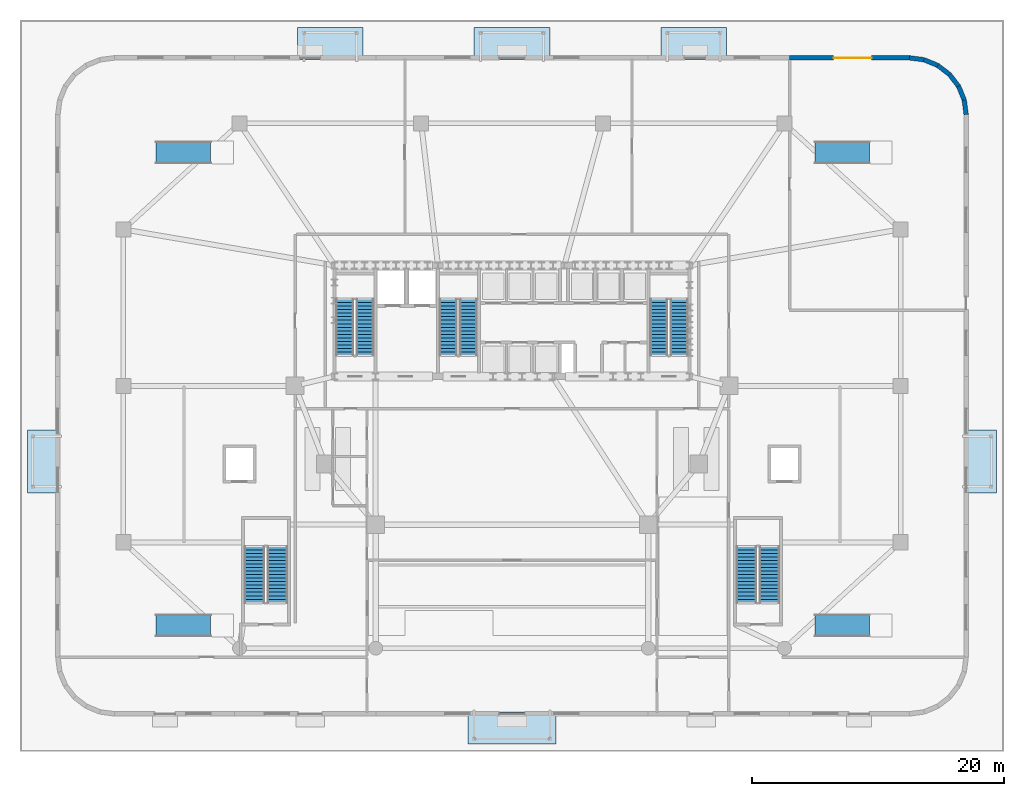
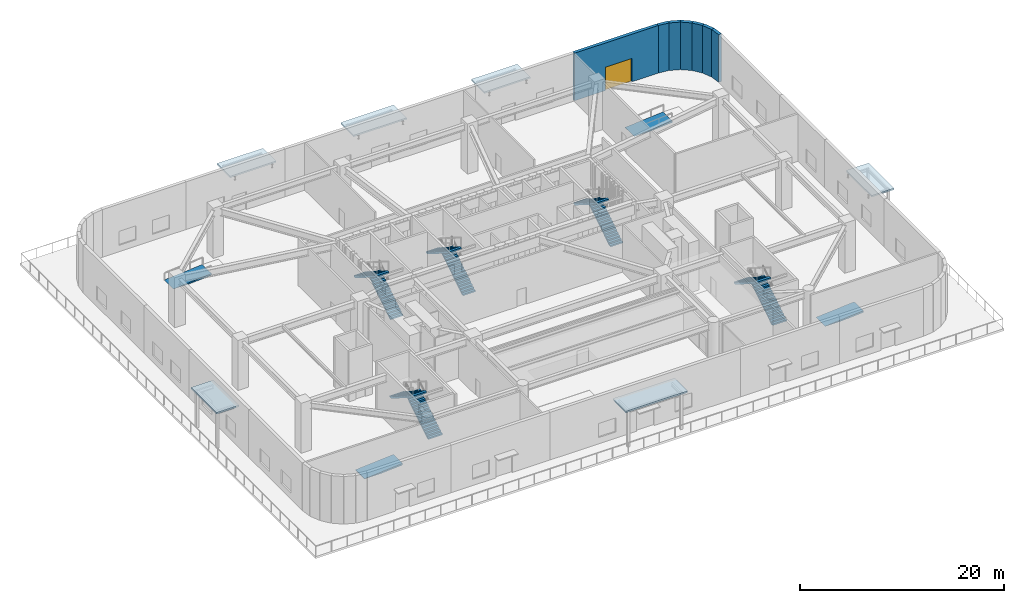
# One storey, part 12 of 21: 10 stair flights, 7 walls, 6 roofs, 4 ramp flights, 1 door, 1 opening, 9 elements without a shape of their own.
"""IFC4 building model written with IfcOpenShell, lengths in metres."""

from ifc_helpers import new_model, si_unit, direction, frame, frame_2d, origin, place, context, subcontext, project, spatial, polyline, rectangle, outline, extrude, material, layer, layer_set, type_object, element, fill, aggregate, save


model = new_model("IFC4")

# Units and contexts
model_context = context("Model", 3, precision=1e-05, world=origin(), true_north=direction((0.0, 1.0)))
body_context = subcontext(model_context, "Body", "Model", "MODEL_VIEW")
ifc_project = project(units=[si_unit("LENGTHUNIT", "METRE"), si_unit("AREAUNIT", "SQUARE_METRE"), si_unit("VOLUMEUNIT", "CUBIC_METRE"), si_unit("PLANEANGLEUNIT", "RADIAN"), si_unit("MASSUNIT", "GRAM", prefix="KILO")], contexts=[model_context])

# Site, building, storey
site_placement = place(None, origin())
site = spatial("IfcSite", under=ifc_project, at=site_placement, CompositionType="ELEMENT")
building_placement = place(site_placement, origin())
building = spatial("IfcBuilding", under=site, at=building_placement, Name="Haldorwick Loom Tower", CompositionType="ELEMENT")
storey_placement = place(building_placement, origin())
storey = spatial("IfcBuildingStorey", under=building, at=storey_placement, Name="L00", CompositionType="ELEMENT", Elevation=0.0)

# Walls
ifc_material_1 = material(Name="Pressed Clay Face Brick and Insulated Masonry Backup Assembly", Category="masonry")
ifc_layer_1 = layer(ifc_material_1, 0.360107421875, Name="Pressed Clay Face Brick and Insulated Masonry Backup Assembly", Category="masonry")
ifc_layer_set_1 = layer_set([ifc_layer_1], Name="Pressed Clay Face Brick and Insulated Masonry Backup Assembly")
wall_type = type_object("IfcWallType", Name="ARC-WL-EXT360", PredefinedType="STANDARD", material=ifc_layer_set_1)
wall_1_placement = place(storey_placement, frame((72.0, 47.5, 0.0), z_axis=(0.0, 0.0, 1.0), x_axis=(-0.130502892298, 0.991447928588, 0.0)))
element("IfcWall", 1, at=wall_1_placement, inside=storey, type_object=wall_type, Name="L00 Brick Pier and Spandrel Wall 11", PredefinedType="STANDARD", context=body_context, shape_type="SweptSolid", body=[
    extrude(rectangle(XDim=1.1748046875, YDim=0.360107421875, at=frame_2d((0.58740234375, 0.0))), origin(), (0.0, 0.0, 1.0), 5.699951171875),
])
wall_2_placement = place(storey_placement, frame((71.8466796875, 48.664794921875, 0.0), z_axis=(0.0, 0.0, 1.0), x_axis=(-0.382651625058, 0.923892706888, 0.0)))
element("IfcWall", 2, at=wall_2_placement, inside=storey, type_object=wall_type, Name="L00 Brick Pier and Spandrel Wall 12", PredefinedType="STANDARD", context=body_context, shape_type="SweptSolid", body=[
    extrude(rectangle(XDim=1.174560546875, YDim=0.360107421875, at=frame_2d((0.58740234375, 0.0))), origin(), (0.0, 0.0, 1.0), 5.699951171875),
])
for number, where, z_axis, x_axis, name in (
    (3, (71.397216796875, 49.75, 0.0), (0.0, 0.0, 1.0), (-0.60890698735, 0.79324162823, 0.0), "L00 Brick Pier and Spandrel Wall 13"),
    (4, (70.681884765625, 50.681884765625, 0.0), (0.0, 0.0, 1.0), (-0.79324162823, 0.60890698735, 0.0), "L00 Brick Pier and Spandrel Wall 14"),
):
    element("IfcWall", number, at=place(storey_placement, frame(where, z_axis=z_axis, x_axis=x_axis)), inside=storey, type_object=wall_type, Name=name, PredefinedType="STANDARD", context=body_context, shape_type="SweptSolid", body=[
        extrude(rectangle(XDim=1.1748046875, YDim=0.360107421875, at=frame_2d((0.58740234375, 0.0))), origin(), (0.0, 0.0, 1.0), 5.699951171875),
    ])
wall_3_placement = place(storey_placement, frame((69.75, 51.397216796875, 0.0), z_axis=(0.0, 0.0, 1.0), x_axis=(-0.923892706888, 0.382651625058, 0.0)))
element("IfcWall", 5, at=wall_3_placement, inside=storey, type_object=wall_type, Name="L00 Brick Pier and Spandrel Wall 15", PredefinedType="STANDARD", context=body_context, shape_type="SweptSolid", body=[
    extrude(rectangle(XDim=1.174560546875, YDim=0.360107421875, at=frame_2d((0.58740234375, 0.0))), origin(), (0.0, 0.0, 1.0), 5.699951171875),
])
wall_4_placement = place(storey_placement, frame((68.664794921875, 51.8466796875, 0.0), z_axis=(0.0, 0.0, 1.0), x_axis=(-0.991447928588, 0.130502892298, 0.0)))
element("IfcWall", 6, at=wall_4_placement, inside=storey, type_object=wall_type, Name="L00 Brick Pier and Spandrel Wall 16", PredefinedType="STANDARD", context=body_context, shape_type="SweptSolid", body=[
    extrude(rectangle(XDim=1.1748046875, YDim=0.360107421875, at=frame_2d((0.58740234375, 0.0))), origin(), (0.0, 0.0, 1.0), 5.699951171875),
])

# Wall, opening, door
wall_5_placement = place(storey_placement, frame((67.5, 52.0, 0.0), z_axis=(0.0, 0.0, 1.0), x_axis=(-1.0, 0.0, 0.0)))
wall_5 = element("IfcWall", 7, at=wall_5_placement, inside=storey, type_object=wall_type, Name="L00 Brick Pier and Spandrel Wall 17", PredefinedType="STANDARD", context=body_context, shape_type="SweptSolid", body=[
    extrude(rectangle(XDim=9.5, YDim=0.360107421875, at=frame_2d((4.75, 0.0))), origin(), (0.0, 0.0, 1.0), 5.699951171875),
])
opening_placement = place(wall_5_placement, frame((3.0, 0.0, 0.0)))
opening = element("IfcOpeningElement", 8, at=opening_placement, cuts=wall_5, Name="Opening D-SV30", PredefinedType="OPENING", context=body_context, shape_type="SweptSolid", body=[
    extrude(rectangle(XDim=3.0, YDim=2.800048828125, at=frame_2d((1.5, 1.39990234375))), frame((0.0, 0.18994140625, 0.0), z_axis=(0.0, -1.0, 0.0), x_axis=(1.0, 0.0, 0.0)), (0.0, 0.0, 1.0), 0.380126953125),
])
ifc_material_2 = material(Name="Galvanized Steel CSA G40.21 350W", Category="steel")
door_type = type_object("IfcDoorType", Name="ARC-DR-LOAD300", OperationType="ROLLINGUP", PredefinedType="GATE", material=ifc_material_2)
door_placement = place(opening_placement, frame((3.0, 0.0, 0.0), z_axis=(0.0, 0.0, 1.0), x_axis=(-1.0, 0.0, 0.0)))
door = element("IfcDoor", 9, at=door_placement, inside=storey, type_object=door_type, Name="L00 Grade Exit Door SV-01", OperationType="SINGLE_SWING_LEFT", OverallHeight=2.800048828125, OverallWidth=3.0, PredefinedType="GATE", context=body_context, shape_type="SweptSolid", body=[
    extrude(rectangle(XDim=3.0, YDim=2.800048828125, at=frame_2d((1.5, 1.39990234375))), frame((0.0, 0.02490234375, 0.0), z_axis=(0.0, -1.0, 0.0), x_axis=(1.0, 0.0, 0.0)), (0.0, 0.0, 1.0), 0.050048828125),
])
fill(opening, door)

# Stair, stair flights
ifc_material_3 = material(Name="Concrete C40 (40 MPa)", Category="concrete")
stair_type_1 = type_object("IfcStairType", Name="STR-STR-CORE", PredefinedType="HALF_TURN_STAIR", material=ifc_material_3)
stair_1_placement = place(storey_placement, origin())
stair_1 = element("IfcStair", 10, at=stair_1_placement, inside=storey, type_object=stair_type_1, Name="L00 Exit Stair ST-01", PredefinedType="HALF_TURN_STAIR")
stair_flight_type_1 = type_object("IfcStairFlightType", Name="STR-STF-1250", PredefinedType="STRAIGHT", material=ifc_material_3)
stair_flight_1_placement = place(storey_placement, frame((24.35009765625, 28.39990234375, 0.0), z_axis=(0.0, 0.0, 1.0), x_axis=(0.0, 1.0, 0.0)))
stair_flight_1 = element("IfcStairFlight", 11, at=stair_flight_1_placement, type_object=stair_flight_type_1, Name="ST-01 flight 1", NumberOfRisers=17, NumberOfTreads=16, PredefinedType="STRAIGHT", RiserHeight=0.176470588, TreadLength=0.28, context=body_context, shape_type="SweptSolid", body=[
    extrude(outline(polyline([(0.0, 0.0), (0.0, 0.176513671875), (0.280029296875, 0.176513671875), (0.280029296875, 0.35302734375), (0.56005859375, 0.35302734375), (0.56005859375, 0.529296875), (0.840087890625, 0.529296875), (0.840087890625, 0.705810546875), (1.1201171875, 0.705810546875), (1.1201171875, 0.88232421875), (1.39990234375, 0.88232421875), (1.39990234375, 1.058837890625), (1.679931640625, 1.058837890625), (1.679931640625, 1.2353515625), (1.9599609375, 1.2353515625), (1.9599609375, 1.411865234375), (2.239990234375, 1.411865234375), (2.239990234375, 1.588134765625), (2.52001953125, 1.588134765625), (2.52001953125, 1.7646484375), (2.800048828125, 1.7646484375), (2.800048828125, 1.941162109375), (3.080078125, 1.941162109375), (3.080078125, 2.11767578125), (3.360107421875, 2.11767578125), (3.360107421875, 2.294189453125), (3.639892578125, 2.294189453125), (3.639892578125, 2.470703125), (3.919921875, 2.470703125), (3.919921875, 2.64697265625), (4.199951171875, 2.64697265625), (4.199951171875, 2.823486328125), (4.47998046875, 2.823486328125), (4.47998046875, 3.0), (4.47998046875, 2.646240234375), (0.28125, 0.0), (0.0, 0.0)])), frame((0.0, 0.699951171875, 0.0), z_axis=(0.0, -1.0, 0.0), x_axis=(1.0, 0.0, 0.0)), (0.0, 0.0, 1.0), 1.39990234375),
])
stair_flight_2_placement = place(storey_placement, frame((22.75, 32.8798828125, 3.0), z_axis=(0.0, 0.0, 1.0), x_axis=(0.0, -1.0, 0.0)))
stair_flight_2 = element("IfcStairFlight", 12, at=stair_flight_2_placement, type_object=stair_flight_type_1, Name="ST-01 flight 2", NumberOfRisers=17, NumberOfTreads=16, PredefinedType="STRAIGHT", RiserHeight=0.176470588, TreadLength=0.28, context=body_context, shape_type="SweptSolid", body=[
    extrude(outline(polyline([(0.0, 0.0), (0.0, 0.176513671875), (0.280029296875, 0.176513671875), (0.280029296875, 0.35302734375), (0.56005859375, 0.35302734375), (0.56005859375, 0.529296875), (0.840087890625, 0.529296875), (0.840087890625, 0.705810546875), (1.1201171875, 0.705810546875), (1.1201171875, 0.88232421875), (1.39990234375, 0.88232421875), (1.39990234375, 1.058837890625), (1.679931640625, 1.058837890625), (1.679931640625, 1.2353515625), (1.9599609375, 1.2353515625), (1.9599609375, 1.411865234375), (2.239990234375, 1.411865234375), (2.239990234375, 1.588134765625), (2.52001953125, 1.588134765625), (2.52001953125, 1.7646484375), (2.800048828125, 1.7646484375), (2.800048828125, 1.941162109375), (3.080078125, 1.941162109375), (3.080078125, 2.11767578125), (3.360107421875, 2.11767578125), (3.360107421875, 2.294189453125), (3.639892578125, 2.294189453125), (3.639892578125, 2.470703125), (3.919921875, 2.470703125), (3.919921875, 2.64697265625), (4.199951171875, 2.64697265625), (4.199951171875, 2.823486328125), (4.47998046875, 2.823486328125), (4.47998046875, 3.0), (4.47998046875, 2.646240234375), (0.28125, 0.0), (0.0, 0.0)])), frame((0.0, 0.699951171875, 0.0), z_axis=(0.0, -1.0, 0.0), x_axis=(1.0, 0.0, 0.0)), (0.0, 0.0, 1.0), 1.39990234375),
])
aggregate(stair_1, [stair_flight_1, stair_flight_2])

stair_2_placement = place(storey_placement, origin())
stair_2 = element("IfcStair", 13, at=stair_2_placement, inside=storey, type_object=stair_type_1, Name="L00 Exit Stair ST-02", PredefinedType="HALF_TURN_STAIR")
stair_flight_3_placement = place(storey_placement, frame((49.25, 28.39990234375, 0.0), z_axis=(0.0, 0.0, 1.0), x_axis=(0.0, 1.0, 0.0)))
stair_flight_3 = element("IfcStairFlight", 14, at=stair_flight_3_placement, type_object=stair_flight_type_1, Name="ST-02 flight 1", NumberOfRisers=17, NumberOfTreads=16, PredefinedType="STRAIGHT", RiserHeight=0.176470588, TreadLength=0.28, context=body_context, shape_type="SweptSolid", body=[
    extrude(outline(polyline([(0.0, 0.0), (0.0, 0.176513671875), (0.280029296875, 0.176513671875), (0.280029296875, 0.35302734375), (0.56005859375, 0.35302734375), (0.56005859375, 0.529296875), (0.840087890625, 0.529296875), (0.840087890625, 0.705810546875), (1.1201171875, 0.705810546875), (1.1201171875, 0.88232421875), (1.39990234375, 0.88232421875), (1.39990234375, 1.058837890625), (1.679931640625, 1.058837890625), (1.679931640625, 1.2353515625), (1.9599609375, 1.2353515625), (1.9599609375, 1.411865234375), (2.239990234375, 1.411865234375), (2.239990234375, 1.588134765625), (2.52001953125, 1.588134765625), (2.52001953125, 1.7646484375), (2.800048828125, 1.7646484375), (2.800048828125, 1.941162109375), (3.080078125, 1.941162109375), (3.080078125, 2.11767578125), (3.360107421875, 2.11767578125), (3.360107421875, 2.294189453125), (3.639892578125, 2.294189453125), (3.639892578125, 2.470703125), (3.919921875, 2.470703125), (3.919921875, 2.64697265625), (4.199951171875, 2.64697265625), (4.199951171875, 2.823486328125), (4.47998046875, 2.823486328125), (4.47998046875, 3.0), (4.47998046875, 2.646240234375), (0.28125, 0.0), (0.0, 0.0)])), frame((0.0, 0.699951171875, 0.0), z_axis=(0.0, -1.0, 0.0), x_axis=(1.0, 0.0, 0.0)), (0.0, 0.0, 1.0), 1.39990234375),
])
stair_flight_4_placement = place(storey_placement, frame((47.64990234375, 32.8798828125, 3.0), z_axis=(0.0, 0.0, 1.0), x_axis=(0.0, -1.0, 0.0)))
stair_flight_4 = element("IfcStairFlight", 15, at=stair_flight_4_placement, type_object=stair_flight_type_1, Name="ST-02 flight 2", NumberOfRisers=17, NumberOfTreads=16, PredefinedType="STRAIGHT", RiserHeight=0.176470588, TreadLength=0.28, context=body_context, shape_type="SweptSolid", body=[
    extrude(outline(polyline([(0.0, 0.0), (0.0, 0.176513671875), (0.280029296875, 0.176513671875), (0.280029296875, 0.35302734375), (0.56005859375, 0.35302734375), (0.56005859375, 0.529296875), (0.840087890625, 0.529296875), (0.840087890625, 0.705810546875), (1.1201171875, 0.705810546875), (1.1201171875, 0.88232421875), (1.39990234375, 0.88232421875), (1.39990234375, 1.058837890625), (1.679931640625, 1.058837890625), (1.679931640625, 1.2353515625), (1.9599609375, 1.2353515625), (1.9599609375, 1.411865234375), (2.239990234375, 1.411865234375), (2.239990234375, 1.588134765625), (2.52001953125, 1.588134765625), (2.52001953125, 1.7646484375), (2.800048828125, 1.7646484375), (2.800048828125, 1.941162109375), (3.080078125, 1.941162109375), (3.080078125, 2.11767578125), (3.360107421875, 2.11767578125), (3.360107421875, 2.294189453125), (3.639892578125, 2.294189453125), (3.639892578125, 2.470703125), (3.919921875, 2.470703125), (3.919921875, 2.64697265625), (4.199951171875, 2.64697265625), (4.199951171875, 2.823486328125), (4.47998046875, 2.823486328125), (4.47998046875, 3.0), (4.47998046875, 2.646240234375), (0.28125, 0.0), (0.0, 0.0)])), frame((0.0, 0.699951171875, 0.0), z_axis=(0.0, -1.0, 0.0), x_axis=(1.0, 0.0, 0.0)), (0.0, 0.0, 1.0), 1.39990234375),
])
aggregate(stair_2, [stair_flight_3, stair_flight_4])

stair_3_placement = place(storey_placement, origin())
stair_3 = element("IfcStair", 16, at=stair_3_placement, inside=storey, type_object=stair_type_1, Name="L00 Exit Stair ST-03", PredefinedType="HALF_TURN_STAIR")
stair_flight_5_placement = place(storey_placement, frame((32.550048828125, 28.39990234375, 0.0), z_axis=(0.0, 0.0, 1.0), x_axis=(0.0, 1.0, 0.0)))
stair_flight_5 = element("IfcStairFlight", 17, at=stair_flight_5_placement, type_object=stair_flight_type_1, Name="ST-03 flight 1", NumberOfRisers=17, NumberOfTreads=16, PredefinedType="STRAIGHT", RiserHeight=0.176470588, TreadLength=0.28, context=body_context, shape_type="SweptSolid", body=[
    extrude(outline(polyline([(0.0, 0.0), (0.0, 0.176513671875), (0.280029296875, 0.176513671875), (0.280029296875, 0.35302734375), (0.56005859375, 0.35302734375), (0.56005859375, 0.529296875), (0.840087890625, 0.529296875), (0.840087890625, 0.705810546875), (1.1201171875, 0.705810546875), (1.1201171875, 0.88232421875), (1.39990234375, 0.88232421875), (1.39990234375, 1.058837890625), (1.679931640625, 1.058837890625), (1.679931640625, 1.2353515625), (1.9599609375, 1.2353515625), (1.9599609375, 1.411865234375), (2.239990234375, 1.411865234375), (2.239990234375, 1.588134765625), (2.52001953125, 1.588134765625), (2.52001953125, 1.7646484375), (2.800048828125, 1.7646484375), (2.800048828125, 1.941162109375), (3.080078125, 1.941162109375), (3.080078125, 2.11767578125), (3.360107421875, 2.11767578125), (3.360107421875, 2.294189453125), (3.639892578125, 2.294189453125), (3.639892578125, 2.470703125), (3.919921875, 2.470703125), (3.919921875, 2.64697265625), (4.199951171875, 2.64697265625), (4.199951171875, 2.823486328125), (4.47998046875, 2.823486328125), (4.47998046875, 3.0), (4.47998046875, 2.646240234375), (0.28125, 0.0), (0.0, 0.0)])), frame((0.0, 0.699951171875, 0.0), z_axis=(0.0, -1.0, 0.0), x_axis=(1.0, 0.0, 0.0)), (0.0, 0.0, 1.0), 1.39990234375),
])
stair_flight_6_placement = place(storey_placement, frame((30.949951171875, 32.8798828125, 3.0), z_axis=(0.0, 0.0, 1.0), x_axis=(0.0, -1.0, 0.0)))
stair_flight_6 = element("IfcStairFlight", 18, at=stair_flight_6_placement, type_object=stair_flight_type_1, Name="ST-03 flight 2", NumberOfRisers=17, NumberOfTreads=16, PredefinedType="STRAIGHT", RiserHeight=0.176470588, TreadLength=0.28, context=body_context, shape_type="SweptSolid", body=[
    extrude(outline(polyline([(0.0, 0.0), (0.0, 0.176513671875), (0.280029296875, 0.176513671875), (0.280029296875, 0.35302734375), (0.56005859375, 0.35302734375), (0.56005859375, 0.529296875), (0.840087890625, 0.529296875), (0.840087890625, 0.705810546875), (1.1201171875, 0.705810546875), (1.1201171875, 0.88232421875), (1.39990234375, 0.88232421875), (1.39990234375, 1.058837890625), (1.679931640625, 1.058837890625), (1.679931640625, 1.2353515625), (1.9599609375, 1.2353515625), (1.9599609375, 1.411865234375), (2.239990234375, 1.411865234375), (2.239990234375, 1.588134765625), (2.52001953125, 1.588134765625), (2.52001953125, 1.7646484375), (2.800048828125, 1.7646484375), (2.800048828125, 1.941162109375), (3.080078125, 1.941162109375), (3.080078125, 2.11767578125), (3.360107421875, 2.11767578125), (3.360107421875, 2.294189453125), (3.639892578125, 2.294189453125), (3.639892578125, 2.470703125), (3.919921875, 2.470703125), (3.919921875, 2.64697265625), (4.199951171875, 2.64697265625), (4.199951171875, 2.823486328125), (4.47998046875, 2.823486328125), (4.47998046875, 3.0), (4.47998046875, 2.646240234375), (0.28125, 0.0), (0.0, 0.0)])), frame((0.0, 0.699951171875, 0.0), z_axis=(0.0, -1.0, 0.0), x_axis=(1.0, 0.0, 0.0)), (0.0, 0.0, 1.0), 1.39990234375),
])
aggregate(stair_3, [stair_flight_5, stair_flight_6])

stair_type_2 = type_object("IfcStairType", Name="STR-STR-POD", PredefinedType="HALF_TURN_STAIR", material=ifc_material_3)
stair_4_placement = place(storey_placement, origin())
stair_4 = element("IfcStair", 19, at=stair_4_placement, inside=storey, type_object=stair_type_2, Name="L00 Exit Stair ST-P1", PredefinedType="HALF_TURN_STAIR")
stair_flight_type_2 = type_object("IfcStairFlightType", Name="STR-STF-1450", PredefinedType="STRAIGHT", material=ifc_material_3)
stair_flight_7_placement = place(storey_placement, frame((17.39990234375, 8.800048828125, 0.0), z_axis=(0.0, 0.0, 1.0), x_axis=(0.0, 1.0, 0.0)))
stair_flight_7 = element("IfcStairFlight", 20, at=stair_flight_7_placement, type_object=stair_flight_type_2, Name="ST-P1 flight 1", NumberOfRisers=17, NumberOfTreads=16, PredefinedType="STRAIGHT", RiserHeight=0.176470588, TreadLength=0.28, context=body_context, shape_type="SweptSolid", body=[
    extrude(outline(polyline([(0.0, 0.0), (0.0, 0.176513671875), (0.280029296875, 0.176513671875), (0.280029296875, 0.35302734375), (0.56005859375, 0.35302734375), (0.56005859375, 0.529296875), (0.840087890625, 0.529296875), (0.840087890625, 0.705810546875), (1.1201171875, 0.705810546875), (1.1201171875, 0.88232421875), (1.39990234375, 0.88232421875), (1.39990234375, 1.058837890625), (1.679931640625, 1.058837890625), (1.679931640625, 1.2353515625), (1.9599609375, 1.2353515625), (1.9599609375, 1.411865234375), (2.239990234375, 1.411865234375), (2.239990234375, 1.588134765625), (2.52001953125, 1.588134765625), (2.52001953125, 1.7646484375), (2.800048828125, 1.7646484375), (2.800048828125, 1.941162109375), (3.080078125, 1.941162109375), (3.080078125, 2.11767578125), (3.360107421875, 2.11767578125), (3.360107421875, 2.294189453125), (3.639892578125, 2.294189453125), (3.639892578125, 2.470703125), (3.919921875, 2.470703125), (3.919921875, 2.64697265625), (4.199951171875, 2.64697265625), (4.199951171875, 2.823486328125), (4.47998046875, 2.823486328125), (4.47998046875, 3.0), (4.47998046875, 2.646240234375), (0.28125, 0.0), (0.0, 0.0)])), frame((0.0, 0.800048828125, 0.0), z_axis=(0.0, -1.0, 0.0), x_axis=(1.0, 0.0, 0.0)), (0.0, 0.0, 1.0), 1.60009765625),
])
stair_flight_8_placement = place(storey_placement, frame((15.60009765625, 13.280029296875, 3.0), z_axis=(0.0, 0.0, 1.0), x_axis=(0.0, -1.0, 0.0)))
stair_flight_8 = element("IfcStairFlight", 21, at=stair_flight_8_placement, type_object=stair_flight_type_2, Name="ST-P1 flight 2", NumberOfRisers=17, NumberOfTreads=16, PredefinedType="STRAIGHT", RiserHeight=0.176470588, TreadLength=0.28, context=body_context, shape_type="SweptSolid", body=[
    extrude(outline(polyline([(0.0, 0.0), (0.0, 0.176513671875), (0.280029296875, 0.176513671875), (0.280029296875, 0.35302734375), (0.56005859375, 0.35302734375), (0.56005859375, 0.529296875), (0.840087890625, 0.529296875), (0.840087890625, 0.705810546875), (1.1201171875, 0.705810546875), (1.1201171875, 0.88232421875), (1.39990234375, 0.88232421875), (1.39990234375, 1.058837890625), (1.679931640625, 1.058837890625), (1.679931640625, 1.2353515625), (1.9599609375, 1.2353515625), (1.9599609375, 1.411865234375), (2.239990234375, 1.411865234375), (2.239990234375, 1.588134765625), (2.52001953125, 1.588134765625), (2.52001953125, 1.7646484375), (2.800048828125, 1.7646484375), (2.800048828125, 1.941162109375), (3.080078125, 1.941162109375), (3.080078125, 2.11767578125), (3.360107421875, 2.11767578125), (3.360107421875, 2.294189453125), (3.639892578125, 2.294189453125), (3.639892578125, 2.470703125), (3.919921875, 2.470703125), (3.919921875, 2.64697265625), (4.199951171875, 2.64697265625), (4.199951171875, 2.823486328125), (4.47998046875, 2.823486328125), (4.47998046875, 3.0), (4.47998046875, 2.646240234375), (0.28125, 0.0), (0.0, 0.0)])), frame((0.0, 0.800048828125, 0.0), z_axis=(0.0, -1.0, 0.0), x_axis=(1.0, 0.0, 0.0)), (0.0, 0.0, 1.0), 1.60009765625),
])
aggregate(stair_4, [stair_flight_7, stair_flight_8])

stair_5_placement = place(storey_placement, origin())
stair_5 = element("IfcStair", 22, at=stair_5_placement, inside=storey, type_object=stair_type_2, Name="L00 Exit Stair ST-P2", PredefinedType="HALF_TURN_STAIR")
stair_flight_9_placement = place(storey_placement, frame((56.39990234375, 8.800048828125, 0.0), z_axis=(0.0, 0.0, 1.0), x_axis=(0.0, 1.0, 0.0)))
stair_flight_9 = element("IfcStairFlight", 23, at=stair_flight_9_placement, type_object=stair_flight_type_2, Name="ST-P2 flight 1", NumberOfRisers=17, NumberOfTreads=16, PredefinedType="STRAIGHT", RiserHeight=0.176470588, TreadLength=0.28, context=body_context, shape_type="SweptSolid", body=[
    extrude(outline(polyline([(0.0, 0.0), (0.0, 0.176513671875), (0.280029296875, 0.176513671875), (0.280029296875, 0.35302734375), (0.56005859375, 0.35302734375), (0.56005859375, 0.529296875), (0.840087890625, 0.529296875), (0.840087890625, 0.705810546875), (1.1201171875, 0.705810546875), (1.1201171875, 0.88232421875), (1.39990234375, 0.88232421875), (1.39990234375, 1.058837890625), (1.679931640625, 1.058837890625), (1.679931640625, 1.2353515625), (1.9599609375, 1.2353515625), (1.9599609375, 1.411865234375), (2.239990234375, 1.411865234375), (2.239990234375, 1.588134765625), (2.52001953125, 1.588134765625), (2.52001953125, 1.7646484375), (2.800048828125, 1.7646484375), (2.800048828125, 1.941162109375), (3.080078125, 1.941162109375), (3.080078125, 2.11767578125), (3.360107421875, 2.11767578125), (3.360107421875, 2.294189453125), (3.639892578125, 2.294189453125), (3.639892578125, 2.470703125), (3.919921875, 2.470703125), (3.919921875, 2.64697265625), (4.199951171875, 2.64697265625), (4.199951171875, 2.823486328125), (4.47998046875, 2.823486328125), (4.47998046875, 3.0), (4.47998046875, 2.646240234375), (0.28125, 0.0), (0.0, 0.0)])), frame((0.0, 0.800048828125, 0.0), z_axis=(0.0, -1.0, 0.0), x_axis=(1.0, 0.0, 0.0)), (0.0, 0.0, 1.0), 1.60009765625),
])
stair_flight_10_placement = place(storey_placement, frame((54.60009765625, 13.280029296875, 3.0), z_axis=(0.0, 0.0, 1.0), x_axis=(0.0, -1.0, 0.0)))
stair_flight_10 = element("IfcStairFlight", 24, at=stair_flight_10_placement, type_object=stair_flight_type_2, Name="ST-P2 flight 2", NumberOfRisers=17, NumberOfTreads=16, PredefinedType="STRAIGHT", RiserHeight=0.176470588, TreadLength=0.28, context=body_context, shape_type="SweptSolid", body=[
    extrude(outline(polyline([(0.0, 0.0), (0.0, 0.176513671875), (0.280029296875, 0.176513671875), (0.280029296875, 0.35302734375), (0.56005859375, 0.35302734375), (0.56005859375, 0.529296875), (0.840087890625, 0.529296875), (0.840087890625, 0.705810546875), (1.1201171875, 0.705810546875), (1.1201171875, 0.88232421875), (1.39990234375, 0.88232421875), (1.39990234375, 1.058837890625), (1.679931640625, 1.058837890625), (1.679931640625, 1.2353515625), (1.9599609375, 1.2353515625), (1.9599609375, 1.411865234375), (2.239990234375, 1.411865234375), (2.239990234375, 1.588134765625), (2.52001953125, 1.588134765625), (2.52001953125, 1.7646484375), (2.800048828125, 1.7646484375), (2.800048828125, 1.941162109375), (3.080078125, 1.941162109375), (3.080078125, 2.11767578125), (3.360107421875, 2.11767578125), (3.360107421875, 2.294189453125), (3.639892578125, 2.294189453125), (3.639892578125, 2.470703125), (3.919921875, 2.470703125), (3.919921875, 2.64697265625), (4.199951171875, 2.64697265625), (4.199951171875, 2.823486328125), (4.47998046875, 2.823486328125), (4.47998046875, 3.0), (4.47998046875, 2.646240234375), (0.28125, 0.0), (0.0, 0.0)])), frame((0.0, 0.800048828125, 0.0), z_axis=(0.0, -1.0, 0.0), x_axis=(1.0, 0.0, 0.0)), (0.0, 0.0, 1.0), 1.60009765625),
])
aggregate(stair_5, [stair_flight_9, stair_flight_10])

# Ramp, ramp flight
ramp_type = type_object("IfcRampType", Name="STR-RMP-CONC", PredefinedType="STRAIGHT_RUN_RAMP", material=ifc_material_3)
ramp_1_placement = place(storey_placement, origin())
ramp_1 = element("IfcRamp", 25, at=ramp_1_placement, inside=storey, type_object=ramp_type, Name="L00 Accessible Concierge Ramp RMP-01", PredefinedType="STRAIGHT_RUN_RAMP")
ifc_layer_2 = layer(ifc_material_3, 0.219970703125, Name="Concrete C40 (40 MPa)", Category="concrete")
ifc_layer_set_2 = layer_set([ifc_layer_2], Name="Concrete C40 (40 MPa)")
ramp_flight_type = type_object("IfcRampFlightType", Name="STR-RMF-1800", PredefinedType="STRAIGHT", material=ifc_layer_set_2)
ramp_flight_1_placement = place(storey_placement, frame((7.800048828125, 7.0, 0.0), z_axis=(0.0, 0.0, 1.0), x_axis=(1.0, 0.0, 0.0)))
ramp_flight_1 = element("IfcRampFlight", 26, at=ramp_flight_1_placement, type_object=ramp_flight_type, Name="RMP-01 Accessible Flight", PredefinedType="STRAIGHT", context=body_context, shape_type="SweptSolid", body=[
    extrude(outline(polyline([(0.0, 0.0), (0.0, 0.02001953125), (4.320068359375, 0.360107421875), (4.320068359375, 0.16015625), (1.944091796875, 0.0), (0.0, 0.0)])), frame((0.0, 0.89990234375, 0.0), z_axis=(0.0, -1.0, 0.0), x_axis=(1.0, 0.0, 0.0)), (0.0, 0.0, 1.0), 1.800048828125),
])
aggregate(ramp_1, [ramp_flight_1])

ramp_2_placement = place(storey_placement, origin())
ramp_2 = element("IfcRamp", 27, at=ramp_2_placement, inside=storey, type_object=ramp_type, Name="L00 Accessible Concierge Ramp RMP-02", PredefinedType="STRAIGHT_RUN_RAMP")
ramp_flight_2_placement = place(storey_placement, frame((60.0, 7.0, 0.0), z_axis=(0.0, 0.0, 1.0), x_axis=(1.0, 0.0, 0.0)))
ramp_flight_2 = element("IfcRampFlight", 28, at=ramp_flight_2_placement, type_object=ramp_flight_type, Name="RMP-02 Accessible Flight", PredefinedType="STRAIGHT", context=body_context, shape_type="SweptSolid", body=[
    extrude(outline(polyline([(0.0, 0.0), (0.0, 0.02001953125), (4.320068359375, 0.360107421875), (4.320068359375, 0.16015625), (1.944091796875, 0.0), (0.0, 0.0)])), frame((0.0, 0.89990234375, 0.0), z_axis=(0.0, -1.0, 0.0), x_axis=(1.0, 0.0, 0.0)), (0.0, 0.0, 1.0), 1.800048828125),
])
aggregate(ramp_2, [ramp_flight_2])

ramp_3_placement = place(storey_placement, origin())
ramp_3 = element("IfcRamp", 29, at=ramp_3_placement, inside=storey, type_object=ramp_type, Name="L00 Accessible Concierge Ramp RMP-03", PredefinedType="STRAIGHT_RUN_RAMP")
ramp_flight_3_placement = place(storey_placement, frame((7.800048828125, 44.5, 0.0), z_axis=(0.0, 0.0, 1.0), x_axis=(1.0, 0.0, 0.0)))
ramp_flight_3 = element("IfcRampFlight", 30, at=ramp_flight_3_placement, type_object=ramp_flight_type, Name="RMP-03 Accessible Flight", PredefinedType="STRAIGHT", context=body_context, shape_type="SweptSolid", body=[
    extrude(outline(polyline([(0.0, 0.0), (0.0, 0.02001953125), (4.320068359375, 0.360107421875), (4.320068359375, 0.16015625), (1.944091796875, 0.0), (0.0, 0.0)])), frame((0.0, 0.89990234375, 0.0), z_axis=(0.0, -1.0, 0.0), x_axis=(1.0, 0.0, 0.0)), (0.0, 0.0, 1.0), 1.800048828125),
])
aggregate(ramp_3, [ramp_flight_3])

ramp_4_placement = place(storey_placement, origin())
ramp_4 = element("IfcRamp", 31, at=ramp_4_placement, inside=storey, type_object=ramp_type, Name="L00 Accessible Concierge Ramp RMP-04", PredefinedType="STRAIGHT_RUN_RAMP")
ramp_flight_4_placement = place(storey_placement, frame((60.0, 44.5, 0.0), z_axis=(0.0, 0.0, 1.0), x_axis=(1.0, 0.0, 0.0)))
ramp_flight_4 = element("IfcRampFlight", 32, at=ramp_flight_4_placement, type_object=ramp_flight_type, Name="RMP-04 Accessible Flight", PredefinedType="STRAIGHT", context=body_context, shape_type="SweptSolid", body=[
    extrude(outline(polyline([(0.0, 0.0), (0.0, 0.02001953125), (4.320068359375, 0.360107421875), (4.320068359375, 0.16015625), (1.944091796875, 0.0), (0.0, 0.0)])), frame((0.0, 0.89990234375, 0.0), z_axis=(0.0, -1.0, 0.0), x_axis=(1.0, 0.0, 0.0)), (0.0, 0.0, 1.0), 1.800048828125),
])
aggregate(ramp_4, [ramp_flight_4])

# Roofs
ifc_layer_3 = layer(ifc_material_3, 0.179931640625, Name="Concrete C40 (40 MPa)", Category="concrete")
ifc_layer_set_3 = layer_set([ifc_layer_3], Name="Concrete C40 (40 MPa)")
roof_type = type_object("IfcRoofType", Name="STR-ROOF-ENTR180", PredefinedType="FLAT_ROOF", material=ifc_layer_set_3)
roof_1_placement = place(storey_placement, frame((0.0, 0.0, 4.419921875)))
element("IfcRoof", 33, at=roof_1_placement, inside=storey, type_object=roof_type, Name="L00 Station Entrance Canopy Roof CN-S1", PredefinedType="FLAT_ROOF", context=body_context, shape_type="SweptSolid", body=[
    extrude(outline(polyline([(32.5, -2.39990234375), (39.5, -2.39990234375), (39.5, 0.14990234375), (32.5, 0.14990234375), (32.5, -2.39990234375)])), origin(), (0.0, 0.0, 1.0), 0.18017578125),
])
roof_2_placement = place(storey_placement, frame((0.0, 0.0, 4.419921875)))
element("IfcRoof", 34, at=roof_2_placement, inside=storey, type_object=roof_type, Name="L00 Station Entrance Canopy Roof CN-N1", PredefinedType="FLAT_ROOF", context=body_context, shape_type="SweptSolid", body=[
    extrude(outline(polyline([(19.0, 51.85009765625), (24.199951171875, 51.85009765625), (24.199951171875, 54.39990234375), (19.0, 54.39990234375), (19.0, 51.85009765625)])), origin(), (0.0, 0.0, 1.0), 0.18017578125),
])
roof_3_placement = place(storey_placement, frame((0.0, 0.0, 4.419921875)))
element("IfcRoof", 35, at=roof_3_placement, inside=storey, type_object=roof_type, Name="L00 Station Entrance Canopy Roof CN-N2", PredefinedType="FLAT_ROOF", context=body_context, shape_type="SweptSolid", body=[
    extrude(outline(polyline([(33.0, 51.85009765625), (39.0, 51.85009765625), (39.0, 54.39990234375), (33.0, 54.39990234375), (33.0, 51.85009765625)])), origin(), (0.0, 0.0, 1.0), 0.18017578125),
])
roof_4_placement = place(storey_placement, frame((0.0, 0.0, 4.419921875)))
element("IfcRoof", 36, at=roof_4_placement, inside=storey, type_object=roof_type, Name="L00 Station Entrance Canopy Roof CN-N3", PredefinedType="FLAT_ROOF", context=body_context, shape_type="SweptSolid", body=[
    extrude(outline(polyline([(47.800048828125, 51.85009765625), (53.0, 51.85009765625), (53.0, 54.39990234375), (47.800048828125, 54.39990234375), (47.800048828125, 51.85009765625)])), origin(), (0.0, 0.0, 1.0), 0.18017578125),
])
roof_5_placement = place(storey_placement, frame((0.0, 0.0, 4.419921875)))
element("IfcRoof", 37, at=roof_5_placement, inside=storey, type_object=roof_type, Name="L00 Station Entrance Canopy Roof CN-W1", PredefinedType="FLAT_ROOF", context=body_context, shape_type="SweptSolid", body=[
    extrude(outline(polyline([(-2.39990234375, 17.5), (0.14990234375, 17.5), (0.14990234375, 22.5), (-2.39990234375, 22.5), (-2.39990234375, 17.5)])), origin(), (0.0, 0.0, 1.0), 0.18017578125),
])
roof_6_placement = place(storey_placement, frame((0.0, 0.0, 4.419921875)))
element("IfcRoof", 38, at=roof_6_placement, inside=storey, type_object=roof_type, Name="L00 Station Entrance Canopy Roof CN-E1", PredefinedType="FLAT_ROOF", context=body_context, shape_type="SweptSolid", body=[
    extrude(outline(polyline([(71.85009765625, 17.5), (74.39990234375, 17.5), (74.39990234375, 22.5), (71.85009765625, 22.5), (71.85009765625, 17.5)])), origin(), (0.0, 0.0, 1.0), 0.18017578125),
])

save(model, "model.ifc")
